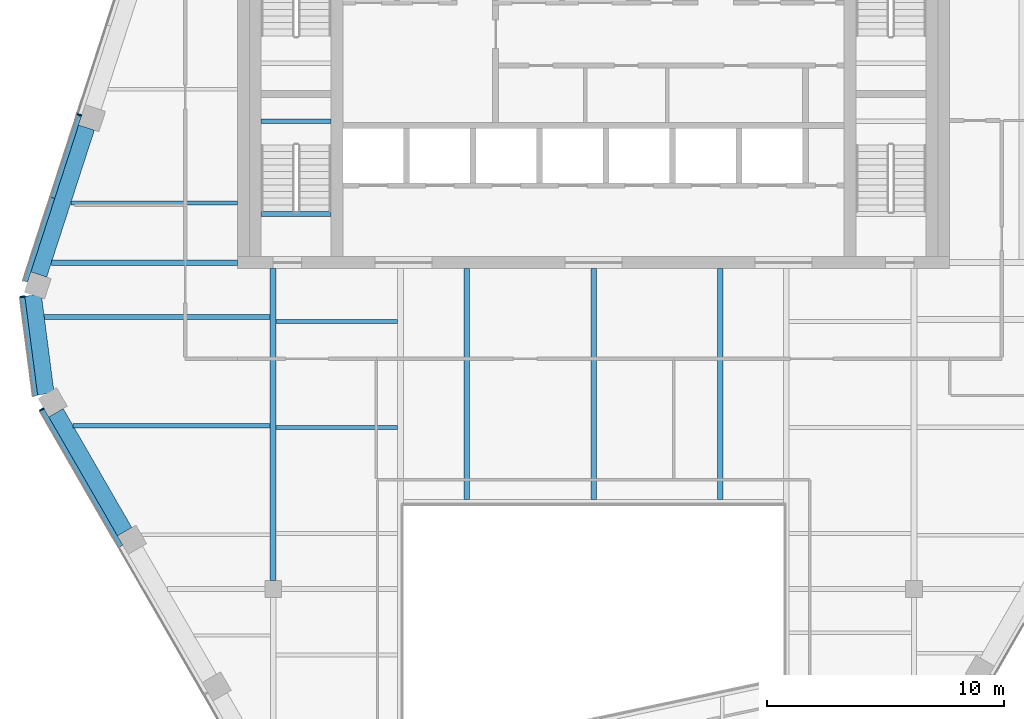
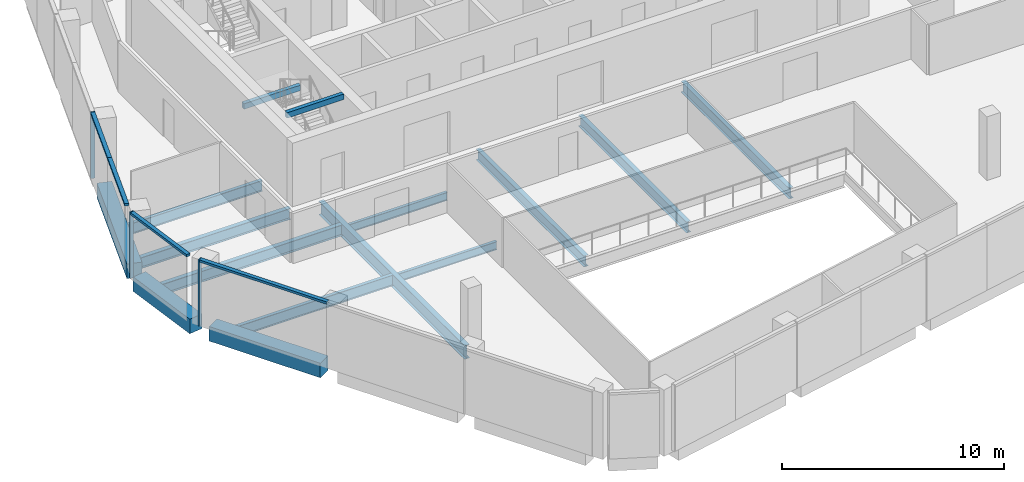
# One storey, part 3 of 15: 15 beams, 7 members, 3 elements without a shape of their own.
"""IFC4 building model written with IfcOpenShell, lengths in metres."""

import ifcopenshell
import ifcopenshell.guid

model = None  # the IFC model being written
_history = None  # IfcOwnerHistory: only IFC2X3 demands one
_inside = {}  # id of a spatial element -> (the spatial element, [elements in it])
_under = {}  # id of a project, library or spatial element -> (it, [spatial elements below it])
_declared = {}  # id of a project -> (the project, [libraries it declares])
_typed = {}  # id of a type object -> (the type object, [elements of that type])
_made_of = {}  # id of a material, layer set ... -> (it, [elements and type objects made of it])


def new_model(schema):
    """Start an empty IFC model of exactly this schema.

    Asked for "IFC4X3", IfcOpenShell would pick the latest addendum, in which some entities
    have other attributes; the version numbers below select the first issue.
    IFC2X3 requires an IfcOwnerHistory on every rooted entity: one is made here for all.
    """
    global model, _history
    if schema == "IFC4X3":
        model = ifcopenshell.file(schema_version=(4, 3, 0, 0))
    else:
        model = ifcopenshell.file(schema=schema)
    _inside.clear()
    _under.clear()
    _declared.clear()
    _typed.clear()
    _made_of.clear()
    _history = None
    if model.schema == "IFC2X3":
        org = make("IfcOrganization", Name="unknown")
        user = make(
            "IfcPersonAndOrganization",
            ThePerson=make("IfcPerson", FamilyName="unknown"),
            TheOrganization=org,
        )
        app = make(
            "IfcApplication",
            ApplicationDeveloper=org,
            Version="unknown",
            ApplicationFullName="unknown",
            ApplicationIdentifier="unknown",
        )
        _history = make(
            "IfcOwnerHistory",
            OwningUser=user,
            OwningApplication=app,
            ChangeAction="ADDED",
            CreationDate=0,
        )
    return model


def make(cls, **values):
    """One entity of the class cls with the attributes given. An attribute that is None is left unset."""
    return model.create_entity(
        cls, **{name: value for name, value in values.items() if value is not None}
    )


def rooted(cls, **values):
    """An entity with a GlobalId (a new one), such as an element, a storey or a relation."""
    return make(cls, GlobalId=ifcopenshell.guid.new(), OwnerHistory=_history, **values)


def si_unit(unit_type, name, prefix=None):
    """IfcSIUnit, for example si_unit("LENGTHUNIT", "METRE", prefix="MILLI")."""
    return make("IfcSIUnit", UnitType=unit_type, Prefix=prefix, Name=name)


def assignment(units):
    """IfcUnitAssignment: the units of a project."""
    return None if units is None else make("IfcUnitAssignment", Units=units)


def point(xyz):
    """IfcCartesianPoint."""
    return None if xyz is None else make("IfcCartesianPoint", Coordinates=xyz)


def direction(xyz):
    """IfcDirection."""
    return None if xyz is None else make("IfcDirection", DirectionRatios=xyz)


def frame(location, z_axis=None, x_axis=None):
    """IfcAxis2Placement3D, a coordinate frame: its origin and axes. An axis left out is left unset."""
    return make(
        "IfcAxis2Placement3D",
        Location=point(location),
        Axis=direction(z_axis),
        RefDirection=direction(x_axis),
    )


def frame_2d(location, x_axis=None):
    """IfcAxis2Placement2D, a coordinate frame in the plane: its origin and x axis."""
    return make(
        "IfcAxis2Placement2D", Location=point(location), RefDirection=direction(x_axis)
    )


def origin():
    """The frame at (0, 0, 0) with its axes left unset."""
    return frame((0.0, 0.0, 0.0))


def origin_2d():
    """The frame at (0, 0) in the plane with its x axis left unset."""
    return frame_2d((0.0, 0.0))


def place(relative_to, where):
    """IfcLocalPlacement: puts the frame where relative to a parent placement (None: the world)."""
    return make(
        "IfcLocalPlacement", PlacementRelTo=relative_to, RelativePlacement=where
    )


def context(
    kind, dimensions, precision=None, world=None, true_north=None, identifier=None
):
    """IfcGeometricRepresentationContext, for example the 3D "Model" context."""
    return make(
        "IfcGeometricRepresentationContext",
        ContextIdentifier=identifier,
        ContextType=kind,
        CoordinateSpaceDimension=dimensions,
        Precision=precision,
        WorldCoordinateSystem=world,
        TrueNorth=true_north,
    )


def subcontext(parent, identifier, kind, view, scale=None):
    """IfcGeometricRepresentationSubContext, for example "Body" below "Model"."""
    return make(
        "IfcGeometricRepresentationSubContext",
        ContextIdentifier=identifier,
        ContextType=kind,
        ParentContext=parent,
        TargetScale=scale,
        TargetView=view,
    )


def project(units=None, contexts=None):
    """IfcProject with its units and contexts."""
    return rooted(
        "IfcProject",
        Name="project",
        RepresentationContexts=contexts,
        UnitsInContext=assignment(units),
    )


def spatial(cls, under=None, at=None, **own):
    """A site, building, storey or space (cls), placed at a placement, below another one or the project."""
    s = rooted(cls, ObjectPlacement=at, **own)
    if under is not None:
        _under.setdefault(under.id(), (under, []))[1].append(s)
    return s


def profile(cls, at=None, kind="AREA", **sizes):
    """A parametric profile (cls). Its sizes go by their IFC names, for example OverallWidth=200.0."""
    return make(cls, ProfileType=kind, Position=at, **sizes)


def rectangle(**sizes):
    """IfcRectangleProfileDef."""
    return profile("IfcRectangleProfileDef", **sizes)


def i_section(**sizes):
    """IfcIShapeProfileDef."""
    return profile("IfcIShapeProfileDef", **sizes)


def extrude(swept, where, along, depth):
    """IfcExtrudedAreaSolid: the profile swept, set in the frame where, extruded along a direction by depth."""
    return make(
        "IfcExtrudedAreaSolid",
        SweptArea=swept,
        Position=where,
        ExtrudedDirection=direction(along),
        Depth=depth,
    )


def shape(context_of_items, identifier, shape_type, items):
    """IfcShapeRepresentation: the items that make up one representation, for example the "Body"."""
    return make(
        "IfcShapeRepresentation",
        ContextOfItems=context_of_items,
        RepresentationIdentifier=identifier,
        RepresentationType=shape_type,
        Items=items,
    )


def material(Name=None, Category=None):
    """IfcMaterial."""
    return make("IfcMaterial", Name=Name, Category=Category)


def layer(
    of_material, thickness, ventilated=None, Name=None, Category=None, Priority=None
):
    """IfcMaterialLayer: one layer of a wall or slab, of a material (None: an air gap)."""
    return make(
        "IfcMaterialLayer",
        Material=of_material,
        LayerThickness=thickness,
        IsVentilated=ventilated,
        Name=Name,
        Category=Category,
        Priority=Priority,
    )


def layer_set(layers, Name=None):
    """IfcMaterialLayerSet."""
    return make("IfcMaterialLayerSet", MaterialLayers=layers, LayerSetName=Name)


def material_profile(
    of_material, cross_section, Name=None, Category=None, Priority=None
):
    """IfcMaterialProfile: a cross section and its material."""
    return make(
        "IfcMaterialProfile",
        Name=Name,
        Material=of_material,
        Profile=cross_section,
        Priority=Priority,
        Category=Category,
    )


def profile_set(profiles, Name=None, composite=None):
    """IfcMaterialProfileSet."""
    return make(
        "IfcMaterialProfileSet",
        Name=Name,
        MaterialProfiles=profiles,
        CompositeProfile=composite,
    )


def made_of(thing, what):
    """Note that an element or type object is made of a material, layer set ...; save() writes the relation."""
    if what is not None:
        _made_of.setdefault(what.id(), (what, []))[1].append(thing)
    return thing


def type_object(cls, material=None, **own):
    """A type object (cls), such as IfcWallType, which elements share."""
    return made_of(rooted(cls, **own), material)


def element(
    cls,
    number,
    at=None,
    inside=None,
    cuts=None,
    type_object=None,
    material=None,
    context=None,
    identifier="Body",
    shape_type=None,
    held_by="IfcProductDefinitionShape",
    body=None,
    shapes=None,
    **own,
):
    """One element of the class cls, such as IfcWall. Its Tag is "e" and its number.

    at: its placement. inside: the storey or other place that contains it. cuts: it is an
    opening in that element (IfcRelVoidsElement). A single representation is given by context,
    identifier, shape_type and body (its items); several are given by shapes. held_by: the class
    of the entity that holds the representations. save() writes the other relations.
    """
    e = rooted(cls, Tag="e%d" % number, ObjectPlacement=at, **own)
    if body is not None:
        shapes = [shape(context, identifier, shape_type, body)]
    if shapes is not None:
        e.Representation = make(held_by, Representations=shapes)
    if inside is not None:
        _inside.setdefault(inside.id(), (inside, []))[1].append(e)
    if cuts is not None:
        rooted(
            "IfcRelVoidsElement", RelatingBuildingElement=cuts, RelatedOpeningElement=e
        )
    if type_object is not None:
        _typed.setdefault(type_object.id(), (type_object, []))[1].append(e)
    return made_of(e, material)


def aggregate(whole, parts):
    """IfcRelAggregates: a whole, such as a stair, and the parts it consists of."""
    return rooted("IfcRelAggregates", RelatingObject=whole, RelatedObjects=parts)


def save(model, path):
    """Write the relations noted so far, then the file.

    IfcRelAggregates (storeys below a building ...), IfcRelContainedInSpatialStructure (elements
    in a storey), IfcRelDefinesByType, IfcRelAssociatesMaterial and IfcRelDeclares: one each for
    every whole, place, type object, material and project.
    """
    for whole, parts in _under.values():
        aggregate(whole, parts)
    for where, things in _inside.values():
        rooted(
            "IfcRelContainedInSpatialStructure",
            RelatedElements=things,
            RelatingStructure=where,
        )
    for kind, things in _typed.values():
        rooted("IfcRelDefinesByType", RelatedObjects=things, RelatingType=kind)
    for what, things in _made_of.values():
        rooted("IfcRelAssociatesMaterial", RelatedObjects=things, RelatingMaterial=what)
    for by, libraries in _declared.values():
        rooted("IfcRelDeclares", RelatingContext=by, RelatedDefinitions=libraries)
    model.write(path)


model = new_model("IFC4")

# Units and contexts
model_context = context("Model", 3, precision=1e-05, world=origin(), true_north=direction((0.0, 1.0)))
body_context = subcontext(model_context, "Body", "Model", "MODEL_VIEW")
ifc_project = project(units=[si_unit("LENGTHUNIT", "METRE"), si_unit("AREAUNIT", "SQUARE_METRE"), si_unit("VOLUMEUNIT", "CUBIC_METRE"), si_unit("PLANEANGLEUNIT", "RADIAN"), si_unit("MASSUNIT", "GRAM", prefix="KILO")], contexts=[model_context])

# Site, building, storey
site_placement = place(None, origin())
site = spatial("IfcSite", under=ifc_project, at=site_placement, CompositionType="ELEMENT")
building_placement = place(site_placement, origin())
building = spatial("IfcBuilding", under=site, at=building_placement, Name="Isthmus Gate Tower", CompositionType="ELEMENT")
storey_placement = place(building_placement, frame((0.0, 0.0, 275.550048828125)))
storey = spatial("IfcBuildingStorey", under=building, at=storey_placement, Name="L70", CompositionType="ELEMENT", Elevation=275.550048828125)

# Curtain wall, member
ifc_material_1 = material(Name="Aluminium, pale champagne anodised", Category="aluminium")
ifc_layer = layer(ifc_material_1, 0.199951171875)
ifc_layer_set = layer_set([ifc_layer], Name="CW-1 UNITISED CURTAIN WALL 200 DEEP")
curtain_wall_type = type_object("IfcCurtainWallType", Name="CW-1 UNITISED CURTAIN WALL 200 DEEP", PredefinedType="NOTDEFINED", material=ifc_layer_set)
curtain_wall_1_placement = place(storey_placement, origin())
curtain_wall_1 = element("IfcCurtainWall", 1, at=curtain_wall_1_placement, inside=storey, type_object=curtain_wall_type, Name="CW-1 NW L70", PredefinedType="NOTDEFINED")
ifc_material_2 = material(Name="Aluminium, pale champagne anodised", Category="aluminium")
ifc_material_profile_1 = material_profile(ifc_material_2, rectangle(XDim=0.06005859375, YDim=0.199951171875, at=origin_2d()), Name="60x200")
ifc_profile_set_1 = profile_set([ifc_material_profile_1], Name="Aluminium, pale champagne anodised")
member_type_1 = type_object("IfcMemberType", Name="CW-1 MULLION 60 X 200", PredefinedType="MULLION", material=ifc_profile_set_1)
member_1_placement = place(storey_placement, frame((-21.6572265625, 6.47265625, 0.0), z_axis=(0.0, 0.0, 1.0), x_axis=(-0.309016994375, -0.951056516295, 0.0)))
member_1 = element("IfcMember", 2, at=member_1_placement, type_object=member_type_1, Name="CW-1 mullion", PredefinedType="MULLION", context=body_context, shape_type="SweptSolid", body=[
    extrude(rectangle(XDim=0.06005859375, YDim=0.199951171875, at=origin_2d()), origin(), (0.0, 0.0, 1.0), 3.64990234375),
])

curtain_wall_2_placement = place(storey_placement, origin())
curtain_wall_2 = element("IfcCurtainWall", 3, at=curtain_wall_2_placement, inside=storey, type_object=curtain_wall_type, Name="CW-1 NW-SW L70", PredefinedType="NOTDEFINED")
member_2_placement = place(storey_placement, frame((-24.0576171875, -1.18603515625, 0.0), z_axis=(0.0, 0.0, 1.0), x_axis=(0.129164534, -0.991623175988, 0.0)))
member_2 = element("IfcMember", 4, at=member_2_placement, type_object=member_type_1, Name="CW-1 mullion", PredefinedType="MULLION", context=body_context, shape_type="SweptSolid", body=[
    extrude(rectangle(XDim=0.06005859375, YDim=0.199951171875, at=origin_2d()), origin(), (0.0, 0.0, 1.0), 3.64990234375),
])

curtain_wall_3_placement = place(storey_placement, origin())
curtain_wall_3 = element("IfcCurtainWall", 5, at=curtain_wall_3_placement, inside=storey, type_object=curtain_wall_type, Name="CW-1 SW L70", PredefinedType="NOTDEFINED")
member_3_placement = place(storey_placement, frame((-23.244873046875, -5.938720703125, 0.0), z_axis=(0.0, 0.0, 1.0), x_axis=(0.5, -0.866025403784, 0.0)))
member_3 = element("IfcMember", 6, at=member_3_placement, type_object=member_type_1, Name="CW-1 mullion", PredefinedType="MULLION", context=body_context, shape_type="SweptSolid", body=[
    extrude(rectangle(XDim=0.06005859375, YDim=0.199951171875, at=origin_2d()), origin(), (0.0, 0.0, 1.0), 3.64990234375),
])

# Member
ifc_material_3 = material(Name="Aluminium, pale champagne anodised", Category="aluminium")
ifc_material_profile_2 = material_profile(ifc_material_3, rectangle(XDim=0.199951171875, YDim=0.1298828125, at=origin_2d()), Name="200x130")
ifc_profile_set_2 = profile_set([ifc_material_profile_2], Name="Aluminium, pale champagne anodised")
member_type_2 = type_object("IfcMemberType", Name="CW-1 TRANSOM 200 X 130", PredefinedType="USERDEFINED", material=ifc_profile_set_2)
member_4_placement = place(storey_placement, frame((-21.66650390625, 6.4443359375, 3.5849609375), z_axis=(-0.30898152177, -0.951068041312, 0.0), x_axis=(0.951068041312, -0.30898152177, 0.0)))
member_4 = element("IfcMember", 7, at=member_4_placement, type_object=member_type_2, Name="CW-1 transom", ObjectType="TRANSOM", PredefinedType="USERDEFINED", context=body_context, shape_type="SweptSolid", body=[
    extrude(rectangle(XDim=0.199951171875, YDim=0.1298828125, at=origin_2d()), origin(), (0.0, 0.0, 1.0), 3.643310546875),
])

member_5_placement = place(storey_placement, frame((-22.792236328125, 2.979248046875, 3.5849609375), z_axis=(-0.309039863592, -0.951049085332, 0.0), x_axis=(0.951049085332, -0.309039863592, 0.0)))
member_5 = element("IfcMember", 8, at=member_5_placement, type_object=member_type_2, Name="CW-1 transom", ObjectType="TRANSOM", PredefinedType="USERDEFINED", context=body_context, shape_type="SweptSolid", body=[
    extrude(rectangle(XDim=0.199951171875, YDim=0.1298828125, at=origin_2d()), origin(), (0.0, 0.0, 1.0), 3.70361328125),
])

aggregate(curtain_wall_1, [member_1, member_4, member_5])

member_6_placement = place(storey_placement, frame((-24.0537109375, -1.215576171875, 3.5849609375), z_axis=(0.129149481977, -0.991625136483, 0.0), x_axis=(0.991625136483, 0.129149481977, 0.0)))
member_6 = element("IfcMember", 9, at=member_6_placement, type_object=member_type_2, Name="CW-1 transom", ObjectType="TRANSOM", PredefinedType="USERDEFINED", context=body_context, shape_type="SweptSolid", body=[
    extrude(rectangle(XDim=0.199951171875, YDim=0.1298828125, at=origin_2d()), origin(), (0.0, 0.0, 1.0), 4.181396484375),
])

aggregate(curtain_wall_2, [member_2, member_6])

member_7_placement = place(storey_placement, frame((-23.22998046875, -5.964599609375, 3.5849609375), z_axis=(0.49999574405, -0.866027860944, 0.0), x_axis=(0.866027860944, 0.49999574405, 0.0)))
member_7 = element("IfcMember", 10, at=member_7_placement, type_object=member_type_2, Name="CW-1 transom", ObjectType="TRANSOM", PredefinedType="USERDEFINED", context=body_context, shape_type="SweptSolid", body=[
    extrude(rectangle(XDim=0.199951171875, YDim=0.1298828125, at=origin_2d()), origin(), (0.0, 0.0, 1.0), 6.62451171875),
])

aggregate(curtain_wall_3, [member_3, member_7])

# Beams
ifc_material_4 = material(Name="Concrete f'c 50 MPa", Category="concrete")
ifc_material_profile_3 = material_profile(ifc_material_4, rectangle(XDim=0.699951171875, YDim=0.800048828125, at=origin_2d()), Name="RC 700X800")
ifc_profile_set_3 = profile_set([ifc_material_profile_3], Name="Concrete f'c 50 MPa")
beam_type_1 = type_object("IfcBeamType", Name="RC SPANDREL 700 X 800", PredefinedType="SPANDREL", material=ifc_profile_set_3)
beam_1_placement = place(storey_placement, frame((-19.7529296875, -11.0869140625, -0.400146484375), z_axis=(-0.500011073467, 0.866019010421, 0.0), x_axis=(-0.866019010421, -0.500011073467, 0.0)))
element("IfcBeam", 11, at=beam_1_placement, inside=storey, type_object=beam_type_1, Name="str-spandrel-L70-15", PredefinedType="SPANDREL", context=body_context, shape_type="SweptSolid", body=[
    extrude(rectangle(XDim=0.699951171875, YDim=0.800048828125, at=origin_2d()), origin(), (0.0, 0.0, 1.0), 5.784423828125),
])
beam_2_placement = place(storey_placement, frame((-23.070068359375, -5.283447265625, -0.400146484375), z_axis=(-0.129137748309, 0.991626664608, 0.0), x_axis=(-0.991626664608, -0.129137748309, 0.0)))
element("IfcBeam", 12, at=beam_2_placement, inside=storey, type_object=beam_type_1, Name="str-spandrel-L70-16", PredefinedType="SPANDREL", context=body_context, shape_type="SweptSolid", body=[
    extrude(rectangle(XDim=0.699951171875, YDim=0.800048828125, at=origin_2d()), origin(), (0.0, 0.0, 1.0), 4.197021484375),
])
beam_3_placement = place(storey_placement, frame((-23.36962890625, -0.254150390625, -0.400146484375), z_axis=(0.30901480678, 0.951057227085, 0.0), x_axis=(-0.951057227085, 0.30901480678, 0.0)))
element("IfcBeam", 13, at=beam_3_placement, inside=storey, type_object=beam_type_1, Name="str-spandrel-L70-17", PredefinedType="SPANDREL", context=body_context, shape_type="SweptSolid", body=[
    extrude(rectangle(XDim=0.699951171875, YDim=0.800048828125, at=origin_2d()), origin(), (0.0, 0.0, 1.0), 6.5068359375),
])
ifc_material_5 = material(Name="Concrete f'c 40 MPa", Category="concrete")
ifc_material_profile_4 = material_profile(ifc_material_5, rectangle(XDim=0.199951171875, YDim=0.300048828125, at=origin_2d()), Name="STAIR LANDING BEAM RC 200 X 300")
ifc_profile_set_4 = profile_set([ifc_material_profile_4], Name="Concrete f'c 40 MPa")
beam_type_2 = type_object("IfcBeamType", Name="STAIR LANDING BEAM RC 200 X 300", PredefinedType="BEAM", material=ifc_profile_set_4)
for number, where, z_axis, x_axis, name in (
    (14, (-14.0, 6.199951171875, 1.474853515625), (1.0, 0.0, 0.0), (0.0, 1.0, 0.0), "L70 ST7 landing beam 1"),
    (15, (-14.0, 2.2998046875, 3.349853515625), (1.0, 0.0, 0.0), (0.0, 1.0, 0.0), "L70 ST7 floor-edge seat beam"),
):
    element("IfcBeam", number, at=place(storey_placement, frame(where, z_axis=z_axis, x_axis=x_axis)), inside=storey, type_object=beam_type_2, Name=name, PredefinedType="BEAM", context=body_context, shape_type="SweptSolid", body=[
        extrude(rectangle(XDim=0.199951171875, YDim=0.300048828125, at=origin_2d()), origin(), (0.0, 0.0, 1.0), 2.949951171875),
    ])
ifc_material_6 = material(Name="Structural steel ASTM A992 Gr 50", Category="steel")
ifc_material_profile_5 = material_profile(ifc_material_6, i_section(OverallWidth=0.15234375, OverallDepth=0.45068359375, WebThickness=0.0078125, FlangeThickness=0.010986328125, at=origin_2d()), Name="W18X35")
ifc_profile_set_5 = profile_set([ifc_material_profile_5], Name="Structural steel ASTM A992 Gr 50")
beam_type_3 = type_object("IfcBeamType", Name="STEEL FLOOR BEAM W18X35", PredefinedType="JOIST", material=ifc_profile_set_5)
for number, where, z_axis, x_axis, name in (
    (16, (-13.3681640625, -6.697509765625, -0.37548828125), (1.0, 0.0, 0.0), (0.0, 1.0, 0.0), "str-beam-L70-03-01"),
    (17, (-13.3681640625, -2.232421875, -0.37548828125), (1.0, 0.0, 0.0), (0.0, 1.0, 0.0), "str-beam-L70-03-02"),
):
    element("IfcBeam", number, at=place(storey_placement, frame(where, z_axis=z_axis, x_axis=x_axis)), inside=storey, type_object=beam_type_3, Name=name, PredefinedType="JOIST", context=body_context, shape_type="SweptSolid", body=[
        extrude(i_section(OverallWidth=0.15234375, OverallDepth=0.45068359375, WebThickness=0.0078125, FlangeThickness=0.010986328125, at=origin_2d()), origin(), (0.0, 0.0, 1.0), 5.1142578125),
    ])
ifc_material_7 = material(Name="Structural steel ASTM A992 Gr 50", Category="steel")
ifc_material_profile_6 = material_profile(ifc_material_7, i_section(OverallWidth=0.177734375, OverallDepth=0.60009765625, WebThickness=0.009521484375, FlangeThickness=0.0126953125, at=origin_2d()), Name="W24X55")
ifc_profile_set_6 = profile_set([ifc_material_profile_6], Name="Structural steel ASTM A992 Gr 50")
beam_type_4 = type_object("IfcBeamType", Name="STEEL FLOOR BEAM W24X55", PredefinedType="JOIST", material=ifc_profile_set_6)
beam_4_placement = place(storey_placement, frame((-22.021728515625, 2.761962890625, -0.4501953125), z_axis=(1.0, 0.0, 0.0), x_axis=(0.0, 1.0, 0.0)))
element("IfcBeam", 18, at=beam_4_placement, inside=storey, type_object=beam_type_4, Name="str-beam-L70-00-00", PredefinedType="JOIST", context=body_context, shape_type="SweptSolid", body=[
    extrude(i_section(OverallWidth=0.177734375, OverallDepth=0.60009765625, WebThickness=0.009521484375, FlangeThickness=0.0126953125, at=origin_2d()), origin(), (0.0, 0.0, 1.0), 7.021728515625),
])
beam_5_placement = place(storey_placement, frame((-21.9248046875, -6.625, -0.4501953125), z_axis=(1.0, 0.0, 0.0), x_axis=(0.0, 1.0, 0.0)))
element("IfcBeam", 19, at=beam_5_placement, inside=storey, type_object=beam_type_4, Name="str-beam-L70-01-01", PredefinedType="JOIST", context=body_context, shape_type="SweptSolid", body=[
    extrude(i_section(OverallWidth=0.177734375, OverallDepth=0.60009765625, WebThickness=0.009521484375, FlangeThickness=0.0126953125, at=origin_2d()), origin(), (0.0, 0.0, 1.0), 8.29296875),
])
ifc_material_8 = material(Name="Structural steel ASTM A992 Gr 50", Category="steel")
ifc_material_profile_7 = material_profile(ifc_material_8, i_section(OverallWidth=0.228515625, OverallDepth=0.603271484375, WebThickness=0.010986328125, FlangeThickness=0.014404296875, at=origin_2d()), Name="W24X68")
ifc_profile_set_7 = profile_set([ifc_material_profile_7], Name="Structural steel ASTM A992 Gr 50")
beam_type_5 = type_object("IfcBeamType", Name="STEEL FLOOR BEAM W24X68", PredefinedType="JOIST", material=ifc_profile_set_7)
beam_6_placement = place(storey_placement, frame((-23.139404296875, -2.041748046875, -0.45166015625), z_axis=(1.0, 0.0, 0.0), x_axis=(0.0, 1.0, 0.0)))
element("IfcBeam", 20, at=beam_6_placement, inside=storey, type_object=beam_type_5, Name="str-beam-L70-01-02", PredefinedType="JOIST", context=body_context, shape_type="SweptSolid", body=[
    extrude(i_section(OverallWidth=0.228515625, OverallDepth=0.603271484375, WebThickness=0.010986328125, FlangeThickness=0.014404296875, at=origin_2d()), origin(), (0.0, 0.0, 1.0), 9.507568359375),
])
for number, where, z_axis, x_axis, name in (
    (21, (-5.333251953125, -9.7333984375, -0.45166015625), (0.0, 1.0, 0.0), (-1.0, 0.0, 0.0), "str-beam-L70-06-00"),
    (22, (0.0, -9.7333984375, -0.45166015625), (0.0, 1.0, 0.0), (-1.0, 0.0, 0.0), "str-beam-L70-06-01"),
    (23, (5.333251953125, -9.7333984375, -0.45166015625), (0.0, 1.0, 0.0), (-1.0, 0.0, 0.0), "str-beam-L70-06-02"),
):
    element("IfcBeam", number, at=place(storey_placement, frame(where, z_axis=z_axis, x_axis=x_axis)), inside=storey, type_object=beam_type_5, Name=name, PredefinedType="JOIST", context=body_context, shape_type="SweptSolid", body=[
        extrude(i_section(OverallWidth=0.228515625, OverallDepth=0.603271484375, WebThickness=0.010986328125, FlangeThickness=0.014404296875, at=origin_2d()), origin(), (0.0, 0.0, 1.0), 9.7333984375),
    ])
ifc_material_9 = material(Name="Structural steel ASTM A992 Gr 50", Category="steel")
ifc_material_profile_8 = material_profile(ifc_material_9, i_section(OverallWidth=0.228515625, OverallDepth=0.603271484375, WebThickness=0.010986328125, FlangeThickness=0.014404296875, at=origin_2d()), Name="W24X68")
ifc_profile_set_8 = profile_set([ifc_material_profile_8], Name="Structural steel ASTM A992 Gr 50")
beam_type_6 = type_object("IfcBeamType", Name="STEEL GIRDER W24X68", PredefinedType="BEAM", material=ifc_profile_set_8)
beam_7_placement = place(storey_placement, frame((-15.0, 0.25, -0.45166015625), z_axis=(-1.0, 0.0, 0.0), x_axis=(0.0, -1.0, 0.0)))
element("IfcBeam", 24, at=beam_7_placement, inside=storey, type_object=beam_type_6, Name="str-girder-L70-09", PredefinedType="BEAM", context=body_context, shape_type="SweptSolid", body=[
    extrude(i_section(OverallWidth=0.228515625, OverallDepth=0.603271484375, WebThickness=0.010986328125, FlangeThickness=0.014404296875, at=origin_2d()), origin(), (0.0, 0.0, 1.0), 7.837890625),
])
ifc_material_10 = material(Name="Structural steel ASTM A992 Gr 50", Category="steel")
ifc_material_profile_9 = material_profile(ifc_material_10, i_section(OverallWidth=0.263427734375, OverallDepth=0.749267578125, WebThickness=0.0126953125, FlangeThickness=0.015869140625, at=origin_2d()), Name="W30X90")
ifc_profile_set_9 = profile_set([ifc_material_profile_9], Name="Structural steel ASTM A992 Gr 50")
beam_type_7 = type_object("IfcBeamType", Name="STEEL GIRDER W30X90", PredefinedType="BEAM", material=ifc_profile_set_9)
beam_8_placement = place(storey_placement, frame((-13.5, -13.14990234375, -0.524658203125), z_axis=(0.0, 1.0, 0.0), x_axis=(-1.0, 0.0, 0.0)))
element("IfcBeam", 25, at=beam_8_placement, inside=storey, type_object=beam_type_7, Name="str-girder-L70-06", PredefinedType="BEAM", context=body_context, shape_type="SweptSolid", body=[
    extrude(i_section(OverallWidth=0.263427734375, OverallDepth=0.749267578125, WebThickness=0.0126953125, FlangeThickness=0.015869140625, at=origin_2d()), origin(), (0.0, 0.0, 1.0), 13.14990234375),
])

save(model, "model.ifc")
